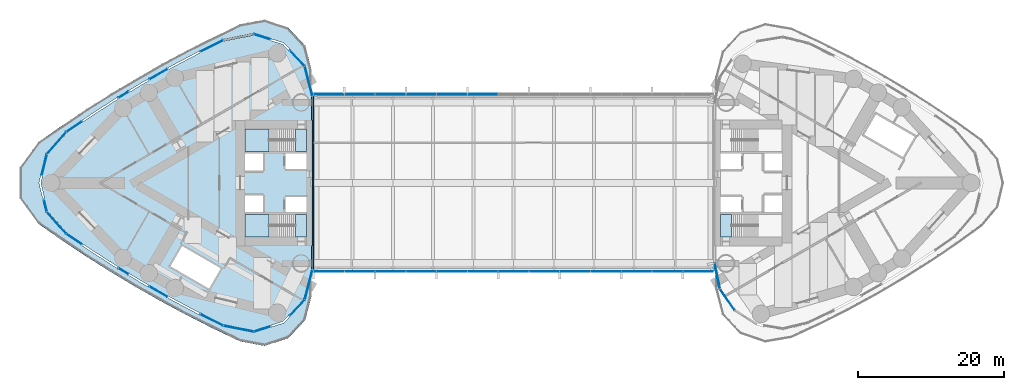
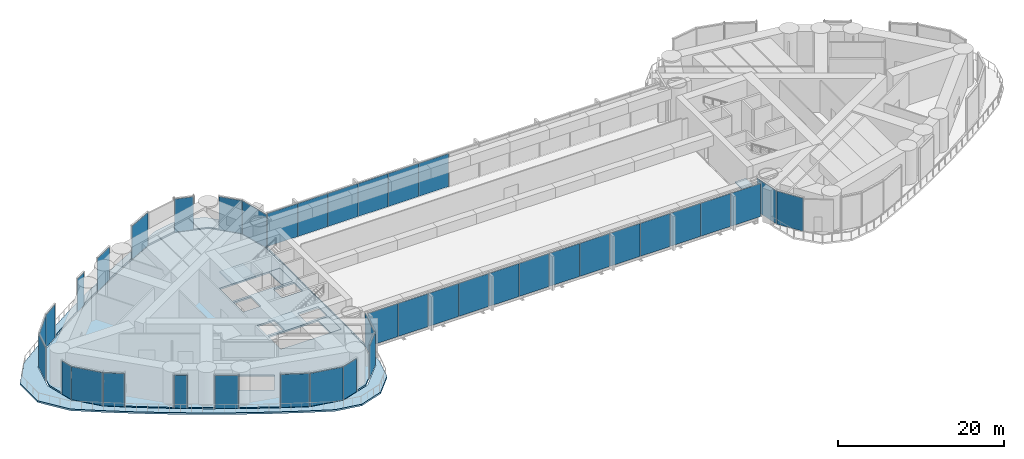
# One storey, part 13 of 22: 41 plates, 7 slabs, 17 elements without a shape of their own.
"""IFC4 building model written with IfcOpenShell, lengths in metres."""

from ifc_helpers import new_model, si_unit, direction, frame, origin, origin_2d, place, context, subcontext, project, spatial, polyline, rectangle, outline, extrude, material, layer, layer_set, type_object, element, aggregate, save


model = new_model("IFC4")

# Units and contexts
model_context = context("Model", 3, precision=1e-05, world=origin(), true_north=direction((0.0, 1.0)))
body_context = subcontext(model_context, "Body", "Model", "MODEL_VIEW")
ifc_project = project(units=[si_unit("LENGTHUNIT", "METRE"), si_unit("AREAUNIT", "SQUARE_METRE"), si_unit("VOLUMEUNIT", "CUBIC_METRE"), si_unit("PLANEANGLEUNIT", "RADIAN"), si_unit("MASSUNIT", "GRAM", prefix="KILO")], contexts=[model_context])

# Site, building, storey
site_placement = place(None, origin())
site = spatial("IfcSite", under=ifc_project, at=site_placement, CompositionType="ELEMENT")
building_placement = place(site_placement, origin())
building = spatial("IfcBuilding", under=site, at=building_placement, Name="Lancet Gate Hotel", CompositionType="ELEMENT")
storey_placement = place(building_placement, frame((0.0, 0.0, 210.300048828125)))
storey = spatial("IfcBuildingStorey", under=building, at=storey_placement, Name="L56", CompositionType="ELEMENT", Elevation=210.300048828125)

# Slab
ifc_material_1 = material(Name="Concrete C50/60", Category="concrete")
ifc_layer_1 = layer(ifc_material_1, 0.25)
ifc_layer_set_1 = layer_set([ifc_layer_1], Name="Floor slab 250")
slab_type_1 = type_object("IfcSlabType", Name="Floor slab 250", PredefinedType="FLOOR", material=ifc_layer_set_1)
slab_1_placement = place(storey_placement, frame((0.0, 0.0, -0.25)))
element("IfcSlab", 1, at=slab_1_placement, inside=storey, type_object=slab_type_1, Name="T1 L56 floor slab", PredefinedType="FLOOR", context=body_context, shape_type="SweptSolid", body=[
    extrude(outline(polyline([(-27.5, 8.60009765625), (-27.6201171875, 8.60009765625), (-27.6201171875, 11.84619140625), (-28.668701171875, 15.912353515625), (-31.542236328125, 18.95263671875), (-35.52783203125, 20.22412109375), (-39.645751953125, 19.40673828125), (-43.344482421875, 17.565673828125), (-47.005126953125, 15.618896484375), (-50.61181640625, 13.574462890625), (-54.162353515625, 11.43359375), (-57.654052734375, 9.197998046875), (-61.072998046875, 6.876708984375), (-63.71240234375, 3.871337890625), (-64.66064453125, 0.0), (-63.71240234375, -3.871337890625), (-61.072998046875, -6.876708984375), (-57.654052734375, -9.197998046875), (-54.162353515625, -11.43359375), (-50.61181640625, -13.574462890625), (-47.005126953125, -15.618896484375), (-43.344482421875, -17.565673828125), (-39.645751953125, -19.40673828125), (-35.52783203125, -20.22412109375), (-31.542236328125, -18.95263671875), (-28.668701171875, -15.912353515625), (-27.6201171875, -11.84619140625), (-27.6201171875, -8.60009765625), (-27.5, -8.60009765625), (-27.5, -8.199951171875), (-27.5, 8.199951171875), (-27.5, 8.60009765625)]), holes=[polyline([(-36.699951171875, 7.39990234375), (-36.699951171875, 4.300048828125), (-28.300048828125, 4.300048828125), (-28.300048828125, 7.39990234375), (-36.699951171875, 7.39990234375)]), polyline([(-28.300048828125, 4.0), (-31.199951171875, 4.0), (-31.199951171875, 1.89990234375), (-28.300048828125, 1.89990234375), (-28.300048828125, 4.0)]), polyline([(-34.25, 4.0), (-36.699951171875, 4.0), (-36.699951171875, 1.64990234375), (-34.25, 1.64990234375), (-34.25, 4.0)]), polyline([(-36.699951171875, -1.64990234375), (-36.699951171875, -4.0), (-34.25, -4.0), (-34.25, -1.64990234375), (-36.699951171875, -1.64990234375)]), polyline([(-28.300048828125, -1.89990234375), (-31.199951171875, -1.89990234375), (-31.199951171875, -4.0), (-28.300048828125, -4.0), (-28.300048828125, -1.89990234375)]), polyline([(-28.300048828125, -4.300048828125), (-36.699951171875, -4.300048828125), (-36.699951171875, -7.39990234375), (-28.300048828125, -7.39990234375), (-28.300048828125, -4.300048828125)]), polyline([(-45.319091796875, -8.631103515625), (-46.9189453125, -11.402099609375), (-41.635986328125, -14.451904296875), (-40.035888671875, -11.680908203125), (-45.319091796875, -8.631103515625)])]), origin(), (0.0, 0.0, 1.0), 0.25),
])

# Curtain wall, plates
ifc_material_2 = material(Name="Aluminium curtain wall", Category="aluminium")
curtain_wall_type = type_object("IfcCurtainWallType", Name="Refuge storey louvred curtain wall", PredefinedType="USERDEFINED", material=ifc_material_2)
curtain_wall_1_placement = place(storey_placement, origin())
curtain_wall_1 = element("IfcCurtainWall", 2, at=curtain_wall_1_placement, inside=storey, type_object=curtain_wall_type, Name="T1 L56 curtain wall 1", ObjectType="LANTERN GLAZING", PredefinedType="USERDEFINED")
ifc_material_3 = material(Name="Aluminium weather louvre 100 deep", Category="aluminium")
ifc_layer_2 = layer(ifc_material_3, 0.10009765625)
ifc_layer_set_2 = layer_set([ifc_layer_2], Name="Louvre panel")
plate_type_1 = type_object("IfcPlateType", Name="Louvre panel", PredefinedType="CURTAIN_PANEL", material=ifc_layer_set_2)
plate_1_placement = place(storey_placement, frame((-28.030029296875, 13.9169921875, 0.0), z_axis=(0.0, 0.0, 1.0), x_axis=(-0.249725827997, 0.968316586056, 0.0)))
plate_1 = element("IfcPlate", 3, at=plate_1_placement, type_object=plate_type_1, Name="T1 L56 curtain wall 1 panel 1", PredefinedType="CURTAIN_PANEL", context=body_context, shape_type="SweptSolid", body=[
    extrude(rectangle(XDim=4.180419921875, YDim=0.10009765625, at=origin_2d()), origin(), (0.0, 0.0, 1.0), 4.85009765625),
])
plate_2_placement = place(storey_placement, frame((-29.57666015625, 17.0478515625, 0.0), z_axis=(0.0, 0.0, 1.0), x_axis=(-0.686882887577, 0.726768118972, 0.0)))
plate_2 = element("IfcPlate", 4, at=plate_2_placement, type_object=plate_type_1, Name="T1 L56 curtain wall 1 panel 2", PredefinedType="CURTAIN_PANEL", context=body_context, shape_type="SweptSolid", body=[
    extrude(rectangle(XDim=2.89453125, YDim=0.10009765625, at=origin_2d()), origin(), (0.0, 0.0, 1.0), 4.85009765625),
])
aggregate(curtain_wall_1, [plate_1, plate_2])

# Curtain wall, plate
curtain_wall_2_placement = place(storey_placement, origin())
curtain_wall_2 = element("IfcCurtainWall", 5, at=curtain_wall_2_placement, inside=storey, type_object=curtain_wall_type, Name="T1 L56 curtain wall 2", ObjectType="LANTERN GLAZING", PredefinedType="USERDEFINED")
plate_3_placement = place(storey_placement, frame((-34.371826171875, 19.9814453125, 0.0), z_axis=(0.0, 0.0, 1.0), x_axis=(-0.952695666833, 0.303925922549, 0.0)))
plate_3 = element("IfcPlate", 6, at=plate_3_placement, type_object=plate_type_1, Name="T1 L56 curtain wall 2 panel 1", PredefinedType="CURTAIN_PANEL", context=body_context, shape_type="SweptSolid", body=[
    extrude(rectangle(XDim=2.346923828125, YDim=0.10009765625, at=origin_2d()), origin(), (0.0, 0.0, 1.0), 4.85009765625),
])
aggregate(curtain_wall_2, [plate_3])

curtain_wall_3_placement = place(storey_placement, origin())
curtain_wall_3 = element("IfcCurtainWall", 7, at=curtain_wall_3_placement, inside=storey, type_object=curtain_wall_type, Name="T1 L56 curtain wall 3", ObjectType="LANTERN GLAZING", PredefinedType="USERDEFINED")
plate_4_placement = place(storey_placement, frame((-41.272216796875, 18.731201171875, 0.0), z_axis=(0.0, 0.0, 1.0), x_axis=(-0.895234030262, -0.445596264639, 0.0)))
plate_4 = element("IfcPlate", 8, at=plate_4_placement, type_object=plate_type_1, Name="T1 L56 curtain wall 3 panel 1", PredefinedType="CURTAIN_PANEL", context=body_context, shape_type="SweptSolid", body=[
    extrude(rectangle(XDim=3.481201171875, YDim=0.10009765625, at=origin_2d()), origin(), (0.0, 0.0, 1.0), 4.85009765625),
])
aggregate(curtain_wall_3, [plate_4])

curtain_wall_4_placement = place(storey_placement, origin())
curtain_wall_4 = element("IfcCurtainWall", 9, at=curtain_wall_4_placement, inside=storey, type_object=curtain_wall_type, Name="T1 L56 curtain wall 4", ObjectType="LANTERN GLAZING", PredefinedType="USERDEFINED")
plate_5_placement = place(storey_placement, frame((-48.549072265625, 14.881591796875, 0.0), z_axis=(0.0, 0.0, 1.0), x_axis=(-0.869958082404, -0.493125678565, 0.0)))
plate_5 = element("IfcPlate", 10, at=plate_5_placement, type_object=plate_type_1, Name="T1 L56 curtain wall 4 panel 1", PredefinedType="CURTAIN_PANEL", context=body_context, shape_type="SweptSolid", body=[
    extrude(rectangle(XDim=2.866455078125, YDim=0.10009765625, at=origin_2d()), origin(), (0.0, 0.0, 1.0), 4.85009765625),
])
aggregate(curtain_wall_4, [plate_5])

curtain_wall_5_placement = place(storey_placement, origin())
curtain_wall_5 = element("IfcCurtainWall", 11, at=curtain_wall_5_placement, inside=storey, type_object=curtain_wall_type, Name="T1 L56 curtain wall 5", ObjectType="LANTERN GLAZING", PredefinedType="USERDEFINED")
plate_6_placement = place(storey_placement, frame((-53.33837890625, 12.070556640625, 0.0), z_axis=(0.0, 0.0, 1.0), x_axis=(-0.85636984205, -0.516362947574, 0.0)))
plate_6 = element("IfcPlate", 12, at=plate_6_placement, type_object=plate_type_1, Name="T1 L56 curtain wall 5 panel 1", PredefinedType="CURTAIN_PANEL", context=body_context, shape_type="SweptSolid", body=[
    extrude(rectangle(XDim=1.60498046875, YDim=0.10009765625, at=origin_2d()), origin(), (0.0, 0.0, 1.0), 4.85009765625),
])
aggregate(curtain_wall_5, [plate_6])

# Curtain wall, plates
curtain_wall_6_placement = place(storey_placement, origin())
curtain_wall_6 = element("IfcCurtainWall", 13, at=curtain_wall_6_placement, inside=storey, type_object=curtain_wall_type, Name="T1 L56 curtain wall 6", ObjectType="LANTERN GLAZING", PredefinedType="USERDEFINED")
plate_7_placement = place(storey_placement, frame((-60.077392578125, 7.69775390625, 0.0), z_axis=(0.0, 0.0, 1.0), x_axis=(-0.827342052281, -0.561698432014, 0.0)))
plate_7 = element("IfcPlate", 14, at=plate_7_placement, type_object=plate_type_1, Name="T1 L56 curtain wall 6 panel 1", PredefinedType="CURTAIN_PANEL", context=body_context, shape_type="SweptSolid", body=[
    extrude(rectangle(XDim=2.534912109375, YDim=0.10009765625, at=origin_2d()), origin(), (0.0, 0.0, 1.0), 4.85009765625),
])
plate_8_placement = place(storey_placement, frame((-62.487548828125, 5.447998046875, 0.0), z_axis=(0.0, 0.0, 1.0), x_axis=(-0.659891635916, -0.751360784742, 0.0)))
plate_8 = element("IfcPlate", 15, at=plate_8_placement, type_object=plate_type_1, Name="T1 L56 curtain wall 6 panel 2", PredefinedType="CURTAIN_PANEL", context=body_context, shape_type="SweptSolid", body=[
    extrude(rectangle(XDim=3.979736328125, YDim=0.10009765625, at=origin_2d()), origin(), (0.0, 0.0, 1.0), 4.85009765625),
])
plate_9_placement = place(storey_placement, frame((-64.17919921875, 2.470458984375, 0.0), z_axis=(0.0, 0.0, 1.0), x_axis=(-0.237921018621, -0.971284504612, 0.0)))
plate_9 = element("IfcPlate", 16, at=plate_9_placement, type_object=plate_type_1, Name="T1 L56 curtain wall 6 panel 3", PredefinedType="CURTAIN_PANEL", context=body_context, shape_type="SweptSolid", body=[
    extrude(rectangle(XDim=2.9375, YDim=0.10009765625, at=origin_2d()), origin(), (0.0, 0.0, 1.0), 4.85009765625),
])
aggregate(curtain_wall_6, [plate_7, plate_8, plate_9])

curtain_wall_7_placement = place(storey_placement, origin())
curtain_wall_7 = element("IfcCurtainWall", 17, at=curtain_wall_7_placement, inside=storey, type_object=curtain_wall_type, Name="T1 L56 curtain wall 7", ObjectType="LANTERN GLAZING", PredefinedType="USERDEFINED")
plate_10_placement = place(storey_placement, frame((-64.02197265625, -3.112548828125, 0.0), z_axis=(0.0, 0.0, 1.0), x_axis=(0.237921018621, -0.971284504612, 0.0)))
plate_10 = element("IfcPlate", 18, at=plate_10_placement, type_object=plate_type_1, Name="T1 L56 curtain wall 7 panel 1", PredefinedType="CURTAIN_PANEL", context=body_context, shape_type="SweptSolid", body=[
    extrude(rectangle(XDim=1.615234375, YDim=0.10009765625, at=origin_2d()), origin(), (0.0, 0.0, 1.0), 4.85009765625),
])
plate_11_placement = place(storey_placement, frame((-62.487548828125, -5.447998046875, 0.0), z_axis=(0.0, 0.0, 1.0), x_axis=(0.659891635916, -0.751360784742, 0.0)))
plate_11 = element("IfcPlate", 19, at=plate_11_placement, type_object=plate_type_1, Name="T1 L56 curtain wall 7 panel 2", PredefinedType="CURTAIN_PANEL", context=body_context, shape_type="SweptSolid", body=[
    extrude(rectangle(XDim=3.979736328125, YDim=0.10009765625, at=origin_2d()), origin(), (0.0, 0.0, 1.0), 4.85009765625),
])
plate_12_placement = place(storey_placement, frame((-60.077392578125, -7.69775390625, 0.0), z_axis=(0.0, 0.0, 1.0), x_axis=(0.827342052281, -0.561698432014, 0.0)))
plate_12 = element("IfcPlate", 20, at=plate_12_placement, type_object=plate_type_1, Name="T1 L56 curtain wall 7 panel 3", PredefinedType="CURTAIN_PANEL", context=body_context, shape_type="SweptSolid", body=[
    extrude(rectangle(XDim=2.534912109375, YDim=0.10009765625, at=origin_2d()), origin(), (0.0, 0.0, 1.0), 4.85009765625),
])
aggregate(curtain_wall_7, [plate_10, plate_11, plate_12])

# Curtain wall, plate
curtain_wall_8_placement = place(storey_placement, origin())
curtain_wall_8 = element("IfcCurtainWall", 21, at=curtain_wall_8_placement, inside=storey, type_object=curtain_wall_type, Name="T1 L56 curtain wall 8", ObjectType="LANTERN GLAZING", PredefinedType="USERDEFINED")
plate_13_placement = place(storey_placement, frame((-53.33837890625, -12.070556640625, 0.0), z_axis=(0.0, 0.0, 1.0), x_axis=(0.85636984205, -0.516362947574, 0.0)))
plate_13 = element("IfcPlate", 22, at=plate_13_placement, type_object=plate_type_1, Name="T1 L56 curtain wall 8 panel 1", PredefinedType="CURTAIN_PANEL", context=body_context, shape_type="SweptSolid", body=[
    extrude(rectangle(XDim=1.60498046875, YDim=0.10009765625, at=origin_2d()), origin(), (0.0, 0.0, 1.0), 4.85009765625),
])
aggregate(curtain_wall_8, [plate_13])

curtain_wall_9_placement = place(storey_placement, origin())
curtain_wall_9 = element("IfcCurtainWall", 23, at=curtain_wall_9_placement, inside=storey, type_object=curtain_wall_type, Name="T1 L56 curtain wall 9", ObjectType="LANTERN GLAZING", PredefinedType="USERDEFINED")
plate_14_placement = place(storey_placement, frame((-48.549072265625, -14.881591796875, 0.0), z_axis=(0.0, 0.0, 1.0), x_axis=(0.869958082404, -0.493125678565, 0.0)))
plate_14 = element("IfcPlate", 24, at=plate_14_placement, type_object=plate_type_1, Name="T1 L56 curtain wall 9 panel 1", PredefinedType="CURTAIN_PANEL", context=body_context, shape_type="SweptSolid", body=[
    extrude(rectangle(XDim=2.866455078125, YDim=0.10009765625, at=origin_2d()), origin(), (0.0, 0.0, 1.0), 4.85009765625),
])
aggregate(curtain_wall_9, [plate_14])

# Curtain wall, plates
curtain_wall_10_placement = place(storey_placement, origin())
curtain_wall_10 = element("IfcCurtainWall", 25, at=curtain_wall_10_placement, inside=storey, type_object=curtain_wall_type, Name="T1 L56 curtain wall 10", ObjectType="LANTERN GLAZING", PredefinedType="USERDEFINED")
plate_15_placement = place(storey_placement, frame((-41.272216796875, -18.731201171875, 0.0), z_axis=(0.0, 0.0, 1.0), x_axis=(0.895234030262, -0.445596264639, 0.0)))
plate_15 = element("IfcPlate", 26, at=plate_15_placement, type_object=plate_type_1, Name="T1 L56 curtain wall 10 panel 1", PredefinedType="CURTAIN_PANEL", context=body_context, shape_type="SweptSolid", body=[
    extrude(rectangle(XDim=3.481201171875, YDim=0.10009765625, at=origin_2d()), origin(), (0.0, 0.0, 1.0), 4.85009765625),
])
plate_16_placement = place(storey_placement, frame((-37.602783203125, -19.9345703125, 0.0), z_axis=(0.0, 0.0, 1.0), x_axis=(0.980856647866, -0.194731189942, 0.0)))
plate_16 = element("IfcPlate", 27, at=plate_16_placement, type_object=plate_type_1, Name="T1 L56 curtain wall 10 panel 2", PredefinedType="CURTAIN_PANEL", context=body_context, shape_type="SweptSolid", body=[
    extrude(rectangle(XDim=4.180419921875, YDim=0.10009765625, at=origin_2d()), origin(), (0.0, 0.0, 1.0), 4.85009765625),
])
plate_17_placement = place(storey_placement, frame((-34.371826171875, -19.9814453125, 0.0), z_axis=(0.0, 0.0, 1.0), x_axis=(0.952695666833, 0.303925922549, 0.0)))
plate_17 = element("IfcPlate", 28, at=plate_17_placement, type_object=plate_type_1, Name="T1 L56 curtain wall 10 panel 3", PredefinedType="CURTAIN_PANEL", context=body_context, shape_type="SweptSolid", body=[
    extrude(rectangle(XDim=2.346923828125, YDim=0.10009765625, at=origin_2d()), origin(), (0.0, 0.0, 1.0), 4.85009765625),
])
aggregate(curtain_wall_10, [plate_15, plate_16, plate_17])

curtain_wall_11_placement = place(storey_placement, origin())
curtain_wall_11 = element("IfcCurtainWall", 29, at=curtain_wall_11_placement, inside=storey, type_object=curtain_wall_type, Name="T1 L56 curtain wall 11", ObjectType="LANTERN GLAZING", PredefinedType="USERDEFINED")
plate_18_placement = place(storey_placement, frame((-29.57666015625, -17.0478515625, 0.0), z_axis=(0.0, 0.0, 1.0), x_axis=(0.686882887577, 0.726768118972, 0.0)))
plate_18 = element("IfcPlate", 30, at=plate_18_placement, type_object=plate_type_1, Name="T1 L56 curtain wall 11 panel 1", PredefinedType="CURTAIN_PANEL", context=body_context, shape_type="SweptSolid", body=[
    extrude(rectangle(XDim=2.89453125, YDim=0.10009765625, at=origin_2d()), origin(), (0.0, 0.0, 1.0), 4.85009765625),
])
plate_19_placement = place(storey_placement, frame((-28.030029296875, -13.9169921875, 0.0), z_axis=(0.0, 0.0, 1.0), x_axis=(0.249725827997, 0.968316586056, 0.0)))
plate_19 = element("IfcPlate", 31, at=plate_19_placement, type_object=plate_type_1, Name="T1 L56 curtain wall 11 panel 2", PredefinedType="CURTAIN_PANEL", context=body_context, shape_type="SweptSolid", body=[
    extrude(rectangle(XDim=4.180419921875, YDim=0.10009765625, at=origin_2d()), origin(), (0.0, 0.0, 1.0), 4.85009765625),
])
aggregate(curtain_wall_11, [plate_18, plate_19])

curtain_wall_12_placement = place(storey_placement, origin())
curtain_wall_12 = element("IfcCurtainWall", 32, at=curtain_wall_12_placement, inside=storey, type_object=curtain_wall_type, Name="T2 L56 curtain wall 1", ObjectType="LANTERN GLAZING", PredefinedType="USERDEFINED")
plate_20_placement = place(storey_placement, frame((27.8583984375, -12.707763671875, 0.0), z_axis=(0.0, 0.0, 1.0), x_axis=(0.199533486841, -0.979891008036, 0.0)))
plate_20 = element("IfcPlate", 33, at=plate_20_placement, type_object=plate_type_1, Name="T2 L56 curtain wall 1 panel 1", PredefinedType="CURTAIN_PANEL", context=body_context, shape_type="SweptSolid", body=[
    extrude(rectangle(XDim=3.526611328125, YDim=0.10009765625, at=origin_2d()), origin(), (0.0, 0.0, 1.0), 4.85009765625),
])
plate_21_placement = place(storey_placement, frame((29.234619140625, -15.947021484375, 0.0), z_axis=(0.0, 0.0, 1.0), x_axis=(0.566823864908, -0.823839005007, 0.0)))
plate_21 = element("IfcPlate", 34, at=plate_21_placement, type_object=plate_type_1, Name="T2 L56 curtain wall 1 panel 2", PredefinedType="CURTAIN_PANEL", context=body_context, shape_type="SweptSolid", body=[
    extrude(rectangle(XDim=3.526611328125, YDim=0.10009765625, at=origin_2d()), origin(), (0.0, 0.0, 1.0), 4.85009765625),
])
aggregate(curtain_wall_12, [plate_20, plate_21])

curtain_wall_13_placement = place(storey_placement, origin())
curtain_wall_13 = element("IfcCurtainWall", 35, at=curtain_wall_13_placement, inside=storey, type_object=curtain_wall_type, Name="Bridge block L56 curtain wall S", ObjectType="LANTERN GLAZING", PredefinedType="USERDEFINED")
plate_22_placement = place(storey_placement, frame((-25.24609375, -12.1201171875, 0.0), z_axis=(0.0, 0.0, 1.0), x_axis=(1.0, 0.0, 0.0)))
plate_22 = element("IfcPlate", 36, at=plate_22_placement, type_object=plate_type_1, Name="Bridge block L56 curtain wall S panel 1", PredefinedType="CURTAIN_PANEL", context=body_context, shape_type="SweptSolid", body=[
    extrude(rectangle(XDim=4.142578125, YDim=0.10009765625, at=origin_2d()), origin(), (0.0, 0.0, 1.0), 4.85009765625),
])
plate_23_placement = place(storey_placement, frame((-21.03857421875, -12.1201171875, 0.0), z_axis=(0.0, 0.0, 1.0), x_axis=(1.0, 0.0, 0.0)))
plate_23 = element("IfcPlate", 37, at=plate_23_placement, type_object=plate_type_1, Name="Bridge block L56 curtain wall S panel 2", PredefinedType="CURTAIN_PANEL", context=body_context, shape_type="SweptSolid", body=[
    extrude(rectangle(XDim=4.142578125, YDim=0.10009765625, at=origin_2d()), origin(), (0.0, 0.0, 1.0), 4.85009765625),
])
plate_24_placement = place(storey_placement, frame((-16.830810546875, -12.1201171875, 0.0), z_axis=(0.0, 0.0, 1.0), x_axis=(1.0, 0.0, 0.0)))
plate_24 = element("IfcPlate", 38, at=plate_24_placement, type_object=plate_type_1, Name="Bridge block L56 curtain wall S panel 3", PredefinedType="CURTAIN_PANEL", context=body_context, shape_type="SweptSolid", body=[
    extrude(rectangle(XDim=4.142578125, YDim=0.10009765625, at=origin_2d()), origin(), (0.0, 0.0, 1.0), 4.85009765625),
])
plate_25_placement = place(storey_placement, frame((-12.623046875, -12.1201171875, 0.0), z_axis=(0.0, 0.0, 1.0), x_axis=(1.0, 0.0, 0.0)))
plate_25 = element("IfcPlate", 39, at=plate_25_placement, type_object=plate_type_1, Name="Bridge block L56 curtain wall S panel 4", PredefinedType="CURTAIN_PANEL", context=body_context, shape_type="SweptSolid", body=[
    extrude(rectangle(XDim=4.142578125, YDim=0.10009765625, at=origin_2d()), origin(), (0.0, 0.0, 1.0), 4.85009765625),
])
plate_26_placement = place(storey_placement, frame((-8.415283203125, -12.1201171875, 0.0), z_axis=(0.0, 0.0, 1.0), x_axis=(1.0, 0.0, 0.0)))
plate_26 = element("IfcPlate", 40, at=plate_26_placement, type_object=plate_type_1, Name="Bridge block L56 curtain wall S panel 5", PredefinedType="CURTAIN_PANEL", context=body_context, shape_type="SweptSolid", body=[
    extrude(rectangle(XDim=4.142578125, YDim=0.10009765625, at=origin_2d()), origin(), (0.0, 0.0, 1.0), 4.85009765625),
])
plate_27_placement = place(storey_placement, frame((-4.207763671875, -12.1201171875, 0.0), z_axis=(0.0, 0.0, 1.0), x_axis=(1.0, 0.0, 0.0)))
plate_27 = element("IfcPlate", 41, at=plate_27_placement, type_object=plate_type_1, Name="Bridge block L56 curtain wall S panel 6", PredefinedType="CURTAIN_PANEL", context=body_context, shape_type="SweptSolid", body=[
    extrude(rectangle(XDim=4.142578125, YDim=0.10009765625, at=origin_2d()), origin(), (0.0, 0.0, 1.0), 4.85009765625),
])
plate_28_placement = place(storey_placement, frame((0.0, -12.1201171875, 0.0), z_axis=(0.0, 0.0, 1.0), x_axis=(1.0, 0.0, 0.0)))
plate_28 = element("IfcPlate", 42, at=plate_28_placement, type_object=plate_type_1, Name="Bridge block L56 curtain wall S panel 7", PredefinedType="CURTAIN_PANEL", context=body_context, shape_type="SweptSolid", body=[
    extrude(rectangle(XDim=4.142578125, YDim=0.10009765625, at=origin_2d()), origin(), (0.0, 0.0, 1.0), 4.85009765625),
])
plate_29_placement = place(storey_placement, frame((4.207763671875, -12.1201171875, 0.0), z_axis=(0.0, 0.0, 1.0), x_axis=(1.0, 0.0, 0.0)))
plate_29 = element("IfcPlate", 43, at=plate_29_placement, type_object=plate_type_1, Name="Bridge block L56 curtain wall S panel 8", PredefinedType="CURTAIN_PANEL", context=body_context, shape_type="SweptSolid", body=[
    extrude(rectangle(XDim=4.142578125, YDim=0.10009765625, at=origin_2d()), origin(), (0.0, 0.0, 1.0), 4.85009765625),
])
plate_30_placement = place(storey_placement, frame((8.415283203125, -12.1201171875, 0.0), z_axis=(0.0, 0.0, 1.0), x_axis=(1.0, 0.0, 0.0)))
plate_30 = element("IfcPlate", 44, at=plate_30_placement, type_object=plate_type_1, Name="Bridge block L56 curtain wall S panel 9", PredefinedType="CURTAIN_PANEL", context=body_context, shape_type="SweptSolid", body=[
    extrude(rectangle(XDim=4.142578125, YDim=0.10009765625, at=origin_2d()), origin(), (0.0, 0.0, 1.0), 4.85009765625),
])
plate_31_placement = place(storey_placement, frame((12.623046875, -12.1201171875, 0.0), z_axis=(0.0, 0.0, 1.0), x_axis=(1.0, 0.0, 0.0)))
plate_31 = element("IfcPlate", 45, at=plate_31_placement, type_object=plate_type_1, Name="Bridge block L56 curtain wall S panel 10", PredefinedType="CURTAIN_PANEL", context=body_context, shape_type="SweptSolid", body=[
    extrude(rectangle(XDim=4.142578125, YDim=0.10009765625, at=origin_2d()), origin(), (0.0, 0.0, 1.0), 4.85009765625),
])
plate_32_placement = place(storey_placement, frame((16.830810546875, -12.1201171875, 0.0), z_axis=(0.0, 0.0, 1.0), x_axis=(1.0, 0.0, 0.0)))
plate_32 = element("IfcPlate", 46, at=plate_32_placement, type_object=plate_type_1, Name="Bridge block L56 curtain wall S panel 11", PredefinedType="CURTAIN_PANEL", context=body_context, shape_type="SweptSolid", body=[
    extrude(rectangle(XDim=4.142578125, YDim=0.10009765625, at=origin_2d()), origin(), (0.0, 0.0, 1.0), 4.85009765625),
])
plate_33_placement = place(storey_placement, frame((21.03857421875, -12.1201171875, 0.0), z_axis=(0.0, 0.0, 1.0), x_axis=(1.0, 0.0, 0.0)))
plate_33 = element("IfcPlate", 47, at=plate_33_placement, type_object=plate_type_1, Name="Bridge block L56 curtain wall S panel 12", PredefinedType="CURTAIN_PANEL", context=body_context, shape_type="SweptSolid", body=[
    extrude(rectangle(XDim=4.142578125, YDim=0.10009765625, at=origin_2d()), origin(), (0.0, 0.0, 1.0), 4.85009765625),
])
plate_34_placement = place(storey_placement, frame((25.24609375, -12.1201171875, 0.0), z_axis=(0.0, 0.0, 1.0), x_axis=(1.0, 0.0, 0.0)))
plate_34 = element("IfcPlate", 48, at=plate_34_placement, type_object=plate_type_1, Name="Bridge block L56 curtain wall S panel 13", PredefinedType="CURTAIN_PANEL", context=body_context, shape_type="SweptSolid", body=[
    extrude(rectangle(XDim=4.142578125, YDim=0.10009765625, at=origin_2d()), origin(), (0.0, 0.0, 1.0), 4.85009765625),
])
aggregate(curtain_wall_13, [plate_22, plate_23, plate_24, plate_25, plate_26, plate_27, plate_28, plate_29, plate_30, plate_31, plate_32, plate_33, plate_34])

curtain_wall_14_placement = place(storey_placement, origin())
curtain_wall_14 = element("IfcCurtainWall", 49, at=curtain_wall_14_placement, inside=storey, type_object=curtain_wall_type, Name="Bridge block L56 curtain wall N", ObjectType="LANTERN GLAZING", PredefinedType="USERDEFINED")
plate_35_placement = place(storey_placement, frame((-4.207763671875, 12.1201171875, 0.0), z_axis=(0.0, 0.0, 1.0), x_axis=(-1.0, 0.0, 0.0)))
plate_35 = element("IfcPlate", 50, at=plate_35_placement, type_object=plate_type_1, Name="Bridge block L56 curtain wall N panel 8", PredefinedType="CURTAIN_PANEL", context=body_context, shape_type="SweptSolid", body=[
    extrude(rectangle(XDim=4.142578125, YDim=0.10009765625, at=origin_2d()), origin(), (0.0, 0.0, 1.0), 4.85009765625),
])
plate_36_placement = place(storey_placement, frame((-8.415283203125, 12.1201171875, 0.0), z_axis=(0.0, 0.0, 1.0), x_axis=(-1.0, 0.0, 0.0)))
plate_36 = element("IfcPlate", 51, at=plate_36_placement, type_object=plate_type_1, Name="Bridge block L56 curtain wall N panel 9", PredefinedType="CURTAIN_PANEL", context=body_context, shape_type="SweptSolid", body=[
    extrude(rectangle(XDim=4.142578125, YDim=0.10009765625, at=origin_2d()), origin(), (0.0, 0.0, 1.0), 4.85009765625),
])
plate_37_placement = place(storey_placement, frame((-12.623046875, 12.1201171875, 0.0), z_axis=(0.0, 0.0, 1.0), x_axis=(-1.0, 0.0, 0.0)))
plate_37 = element("IfcPlate", 52, at=plate_37_placement, type_object=plate_type_1, Name="Bridge block L56 curtain wall N panel 10", PredefinedType="CURTAIN_PANEL", context=body_context, shape_type="SweptSolid", body=[
    extrude(rectangle(XDim=4.142578125, YDim=0.10009765625, at=origin_2d()), origin(), (0.0, 0.0, 1.0), 4.85009765625),
])
plate_38_placement = place(storey_placement, frame((-16.830810546875, 12.1201171875, 0.0), z_axis=(0.0, 0.0, 1.0), x_axis=(-1.0, 0.0, 0.0)))
plate_38 = element("IfcPlate", 53, at=plate_38_placement, type_object=plate_type_1, Name="Bridge block L56 curtain wall N panel 11", PredefinedType="CURTAIN_PANEL", context=body_context, shape_type="SweptSolid", body=[
    extrude(rectangle(XDim=4.142578125, YDim=0.10009765625, at=origin_2d()), origin(), (0.0, 0.0, 1.0), 4.85009765625),
])
plate_39_placement = place(storey_placement, frame((-21.03857421875, 12.1201171875, 0.0), z_axis=(0.0, 0.0, 1.0), x_axis=(-1.0, 0.0, 0.0)))
plate_39 = element("IfcPlate", 54, at=plate_39_placement, type_object=plate_type_1, Name="Bridge block L56 curtain wall N panel 12", PredefinedType="CURTAIN_PANEL", context=body_context, shape_type="SweptSolid", body=[
    extrude(rectangle(XDim=4.142578125, YDim=0.10009765625, at=origin_2d()), origin(), (0.0, 0.0, 1.0), 4.85009765625),
])
plate_40_placement = place(storey_placement, frame((-25.24609375, 12.1201171875, 0.0), z_axis=(0.0, 0.0, 1.0), x_axis=(-1.0, 0.0, 0.0)))
plate_40 = element("IfcPlate", 55, at=plate_40_placement, type_object=plate_type_1, Name="Bridge block L56 curtain wall N panel 13", PredefinedType="CURTAIN_PANEL", context=body_context, shape_type="SweptSolid", body=[
    extrude(rectangle(XDim=4.142578125, YDim=0.10009765625, at=origin_2d()), origin(), (0.0, 0.0, 1.0), 4.85009765625),
])
aggregate(curtain_wall_14, [plate_35, plate_36, plate_37, plate_38, plate_39, plate_40])

# Plate
ifc_material_4 = material(Name="Aluminium chequer plate", Category="aluminium")
ifc_layer_3 = layer(ifc_material_4, 0.014892578125)
ifc_layer_set_3 = layer_set([ifc_layer_3], Name="Movement joint cover plate 15")
plate_type_2 = type_object("IfcPlateType", Name="Movement joint cover plate 15", PredefinedType="SHEET", material=ifc_layer_set_3)
plate_41_placement = place(storey_placement, frame((0.0, 0.0, -0.01513671875)))
element("IfcPlate", 56, at=plate_41_placement, inside=storey, type_object=plate_type_2, Name="Movement joint cover plate T1 L56", PredefinedType="SHEET", context=body_context, shape_type="SweptSolid", body=[
    extrude(outline(polyline([(-27.35009765625, 12.0), (-27.65966796875, 12.0), (-27.6201171875, 11.84619140625), (-27.6201171875, 8.60009765625), (-27.5, 8.60009765625), (-27.5, 8.199951171875), (-27.5, -8.199951171875), (-27.5, -8.60009765625), (-27.6201171875, -8.60009765625), (-27.6201171875, -11.84619140625), (-27.65966796875, -12.0), (-27.35009765625, -12.0), (-27.35009765625, 12.0)])), origin(), (0.0, 0.0, 1.0), 0.01513671875),
])

# Slab
ifc_material_5 = material(Name="Concrete C50/60", Category="concrete")
ifc_layer_4 = layer(ifc_material_5, 0.25)
ifc_layer_set_4 = layer_set([ifc_layer_4], Name="Roof slab 250")
slab_type_2 = type_object("IfcSlabType", Name="Roof slab 250", PredefinedType="ROOF", material=ifc_layer_set_4)
slab_2_placement = place(storey_placement, frame((0.0, 0.0, -0.25)))
element("IfcSlab", 57, at=slab_2_placement, inside=storey, type_object=slab_type_2, Name="Maintenance roof", PredefinedType="ROOF", context=body_context, shape_type="SweptSolid", body=[
    extrude(outline(polyline([(-27.6201171875, 15.408203125), (-28.46923828125, 18.7265625), (-30.797607421875, 21.217529296875), (-34.0361328125, 22.283935546875), (-37.403564453125, 21.660400390625), (-40.996826171875, 19.9453125), (-44.561767578125, 18.139404296875), (-48.0830078125, 16.250244140625), (-51.558837890625, 14.27880859375), (-54.987548828125, 12.22607421875), (-58.366943359375, 10.09326171875), (-61.695068359375, 7.881591796875), (-64.955322265625, 5.602783203125), (-67.49560546875, 2.138427734375), (-67.49560546875, -2.138427734375), (-64.955322265625, -5.602783203125), (-61.695068359375, -7.881591796875), (-58.366943359375, -10.09326171875), (-54.987548828125, -12.22607421875), (-51.558837890625, -14.27880859375), (-48.0830078125, -16.250244140625), (-44.561767578125, -18.139404296875), (-40.996826171875, -19.9453125), (-37.403564453125, -21.660400390625), (-34.0361328125, -22.283935546875), (-30.797607421875, -21.217529296875), (-28.46923828125, -18.7265625), (-27.6201171875, -15.408203125), (-27.6201171875, -12.727294921875), (-28.4697265625, -16.022216796875), (-31.421142578125, -19.14501953125), (-35.514892578125, -20.450927734375), (-39.71728515625, -19.61669921875), (-43.445068359375, -17.76123046875), (-47.11083984375, -15.811767578125), (-50.722900390625, -13.764404296875), (-54.278564453125, -11.620361328125), (-57.775146484375, -9.381591796875), (-61.2197265625, -7.04296875), (-63.913330078125, -3.97607421875), (-64.88720703125, 0.0), (-63.913330078125, 3.97607421875), (-61.2197265625, 7.04296875), (-57.775146484375, 9.381591796875), (-54.278564453125, 11.620361328125), (-50.722900390625, 13.764404296875), (-47.11083984375, 15.811767578125), (-43.445068359375, 17.76123046875), (-39.71728515625, 19.61669921875), (-35.514892578125, 20.450927734375), (-31.421142578125, 19.14501953125), (-28.4697265625, 16.022216796875), (-27.6201171875, 12.727294921875), (-27.6201171875, 15.408203125)])), origin(), (0.0, 0.0, 1.0), 0.25),
])

# Stair, slabs
ifc_material_6 = material(Name="Exit stair 28 risers 1500")
stair_type = type_object("IfcStairType", Name="Exit stair 28 risers 1500", PredefinedType="HALF_TURN_STAIR", material=ifc_material_6)
stair_1_placement = place(storey_placement, origin())
stair_1 = element("IfcStair", 58, at=stair_1_placement, inside=storey, type_object=stair_type, Name="T1 stair 1 L56", PredefinedType="HALF_TURN_STAIR")
ifc_material_7 = material(Name="Concrete C40/50", Category="concrete")
ifc_layer_5 = layer(ifc_material_7, 0.199951171875)
ifc_layer_set_5 = layer_set([ifc_layer_5], Name="Stair landing 200")
slab_type_3 = type_object("IfcSlabType", Name="Stair landing 200", PredefinedType="LANDING", material=ifc_layer_set_5)
slab_3_placement = place(storey_placement, frame((0.0, 0.0, -0.199951171875)))
slab_3 = element("IfcSlab", 59, at=slab_3_placement, type_object=slab_type_3, Name="ST1 landing 1", PredefinedType="LANDING", context=body_context, shape_type="SweptSolid", body=[
    extrude(outline(polyline([(-28.300048828125, 7.39990234375), (-29.800048828125, 7.39990234375), (-29.800048828125, 4.300048828125), (-28.300048828125, 4.300048828125), (-28.300048828125, 7.39990234375)])), origin(), (0.0, 0.0, 1.0), 0.199951171875),
])
slab_4_placement = place(storey_placement, frame((0.0, 0.0, 2.300048828125)))
slab_4 = element("IfcSlab", 60, at=slab_4_placement, type_object=slab_type_3, Name="ST1 landing 2", PredefinedType="LANDING", context=body_context, shape_type="SweptSolid", body=[
    extrude(outline(polyline([(-33.43994140625, 7.39990234375), (-36.699951171875, 7.39990234375), (-36.699951171875, 4.300048828125), (-33.43994140625, 4.300048828125), (-33.43994140625, 7.39990234375)])), origin(), (0.0, 0.0, 1.0), 0.199951171875),
])
aggregate(stair_1, [slab_3, slab_4])

stair_2_placement = place(storey_placement, origin())
stair_2 = element("IfcStair", 61, at=stair_2_placement, inside=storey, type_object=stair_type, Name="T1 stair 2 L56", PredefinedType="HALF_TURN_STAIR")
slab_5_placement = place(storey_placement, frame((0.0, 0.0, -0.199951171875)))
slab_5 = element("IfcSlab", 62, at=slab_5_placement, type_object=slab_type_3, Name="ST2 landing 1", PredefinedType="LANDING", context=body_context, shape_type="SweptSolid", body=[
    extrude(outline(polyline([(-28.300048828125, -4.300048828125), (-29.800048828125, -4.300048828125), (-29.800048828125, -7.39990234375), (-28.300048828125, -7.39990234375), (-28.300048828125, -4.300048828125)])), origin(), (0.0, 0.0, 1.0), 0.199951171875),
])
slab_6_placement = place(storey_placement, frame((0.0, 0.0, 2.300048828125)))
slab_6 = element("IfcSlab", 63, at=slab_6_placement, type_object=slab_type_3, Name="ST2 landing 2", PredefinedType="LANDING", context=body_context, shape_type="SweptSolid", body=[
    extrude(outline(polyline([(-33.43994140625, -4.300048828125), (-36.699951171875, -4.300048828125), (-36.699951171875, -7.39990234375), (-33.43994140625, -7.39990234375), (-33.43994140625, -4.300048828125)])), origin(), (0.0, 0.0, 1.0), 0.199951171875),
])
aggregate(stair_2, [slab_5, slab_6])

# Stair, slab
stair_3_placement = place(storey_placement, origin())
stair_3 = element("IfcStair", 64, at=stair_3_placement, inside=storey, type_object=stair_type, Name="T2 stair 1 L56", PredefinedType="HALF_TURN_STAIR")
slab_7_placement = place(storey_placement, frame((0.0, 0.0, -0.199951171875)))
slab_7 = element("IfcSlab", 65, at=slab_7_placement, type_object=slab_type_3, Name="ST3 landing 1", PredefinedType="LANDING", context=body_context, shape_type="SweptSolid", body=[
    extrude(outline(polyline([(28.300048828125, -7.39990234375), (29.800048828125, -7.39990234375), (29.800048828125, -4.300048828125), (28.300048828125, -4.300048828125), (28.300048828125, -7.39990234375)])), origin(), (0.0, 0.0, 1.0), 0.199951171875),
])
aggregate(stair_3, [slab_7])

save(model, "model.ifc")
